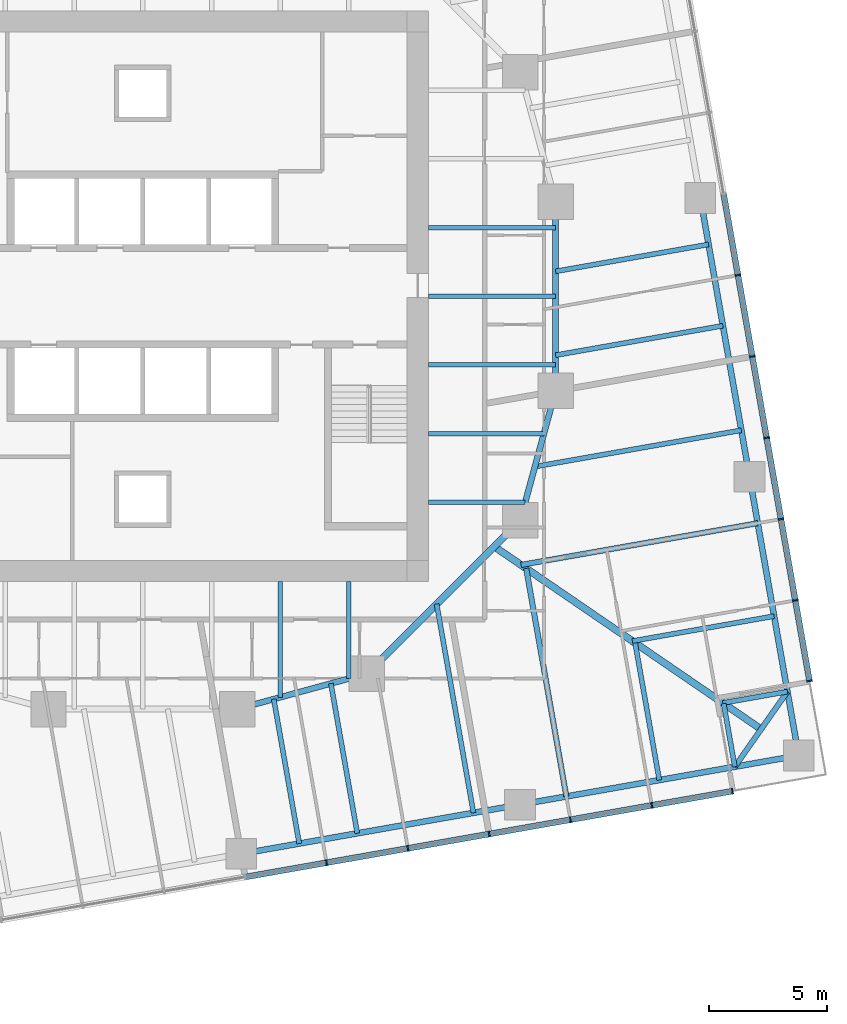
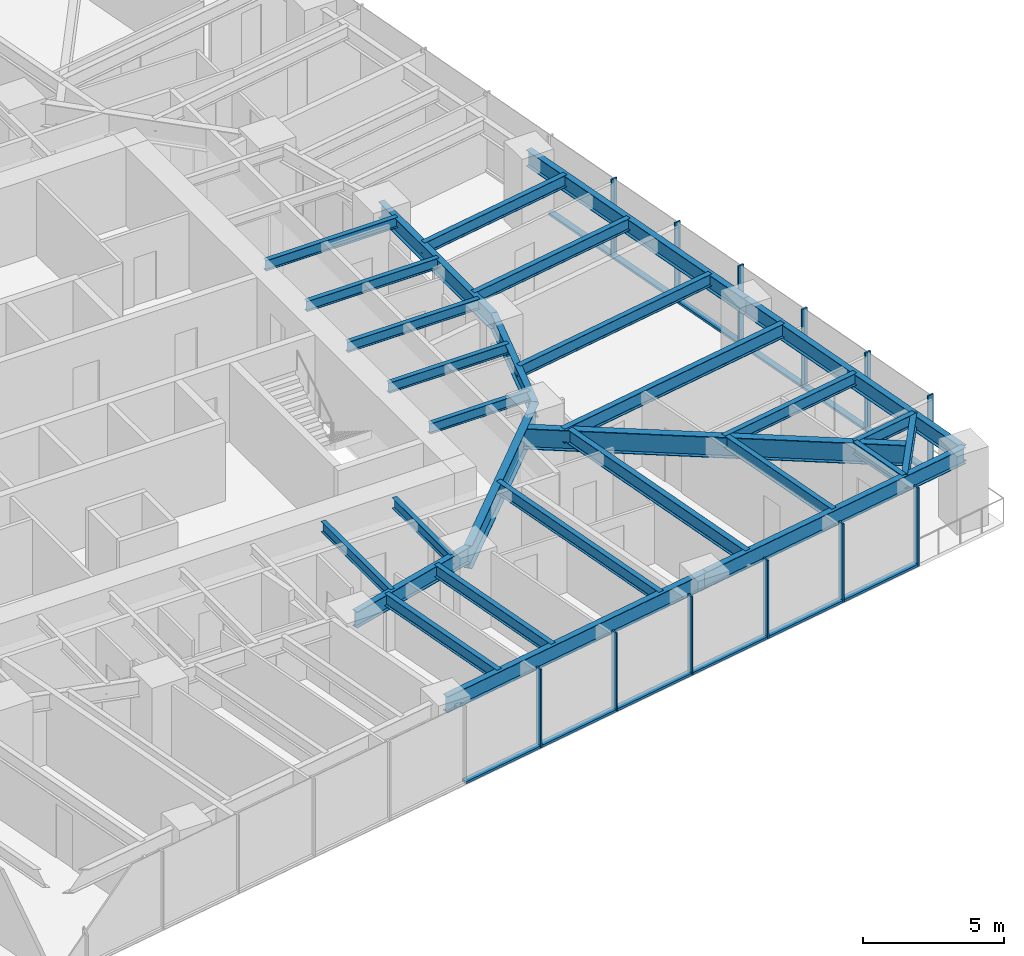
# One storey, part 4 of 14: 29 beams, 24 members, 2 elements without a shape of their own.
"""IFC4 building model written with IfcOpenShell, lengths in metres."""

from ifc_helpers import new_model, si_unit, direction, frame, origin, origin_2d, place, context, subcontext, project, spatial, rectangle, i_section, extrude, material, material_profile, profile_set, type_object, element, aggregate, save


model = new_model("IFC4")

# Units and contexts
model_context = context("Model", 3, precision=1e-05, world=origin(), true_north=direction((0.0, 1.0)))
body_context = subcontext(model_context, "Body", "Model", "MODEL_VIEW")
ifc_project = project(units=[si_unit("LENGTHUNIT", "METRE"), si_unit("AREAUNIT", "SQUARE_METRE"), si_unit("VOLUMEUNIT", "CUBIC_METRE"), si_unit("PLANEANGLEUNIT", "RADIAN"), si_unit("MASSUNIT", "GRAM", prefix="KILO")], contexts=[model_context])

# Site, building, storey
site_placement = place(None, origin())
site = spatial("IfcSite", under=ifc_project, at=site_placement, CompositionType="ELEMENT")
building_placement = place(site_placement, origin())
building = spatial("IfcBuilding", under=site, at=building_placement, Name="Torsade Residences", CompositionType="ELEMENT")
storey_placement = place(building_placement, frame((0.0, 0.0, 93.0)))
storey = spatial("IfcBuildingStorey", under=building, at=storey_placement, Name="L25", CompositionType="ELEMENT", Elevation=93.0)

# Beams
ifc_material_1 = material(Name="Steel grade 300", Category="steel")
ifc_material_profile_1 = material_profile(ifc_material_1, i_section(OverallWidth=0.300048828125, OverallDepth=0.89990234375, WebThickness=0.011962890625, FlangeThickness=0.02490234375, at=origin_2d()), Name="900WB175")
ifc_profile_set_1 = profile_set([ifc_material_profile_1], Name="Steel grade 300")
beam_type_1 = type_object("IfcBeamType", Name="CORNER GIRDER 900WB175", PredefinedType="BEAM", material=ifc_profile_set_1)
beam_1_placement = place(storey_placement, frame((66.2099609375, 11.6474609375, 2.800048828125), z_axis=(-0.825279313977, 0.564724759437, 0.0), x_axis=(-0.564724759437, -0.825279313977, 0.0)))
element("IfcBeam", 1, at=beam_1_placement, inside=storey, type_object=beam_type_1, Name="Corner girder 05 L26", PredefinedType="BEAM", context=body_context, shape_type="SweptSolid", body=[
    extrude(i_section(OverallWidth=0.300048828125, OverallDepth=0.89990234375, WebThickness=0.011962890625, FlangeThickness=0.02490234375, at=origin_2d()), origin(), (0.0, 0.0, 1.0), 13.7138671875),
])
ifc_material_2 = material(Name="Steel grade 300", Category="steel")
ifc_material_profile_2 = material_profile(ifc_material_2, i_section(OverallWidth=0.22802734375, OverallDepth=0.60205078125, WebThickness=0.010498046875, FlangeThickness=0.014892578125, FilletRadius=0.013916015625, at=origin_2d()), Name="610UB101")
ifc_profile_set_2 = profile_set([ifc_material_profile_2], Name="Steel grade 300")
beam_type_2 = type_object("IfcBeamType", Name="CORNER TRIMMER 610UB101", PredefinedType="BEAM", material=ifc_profile_set_2)
beam_2_placement = place(storey_placement, frame((67.325439453125, 13.240478515625, 2.948974609375), z_axis=(-0.573576092373, -0.819152285145, 0.0), x_axis=(0.819152285145, -0.573576092373, 0.0)))
element("IfcBeam", 2, at=beam_2_placement, inside=storey, type_object=beam_type_2, Name="Corner trimmer 05 L26", PredefinedType="BEAM", context=body_context, shape_type="SweptSolid", body=[
    extrude(i_section(OverallWidth=0.22802734375, OverallDepth=0.60205078125, WebThickness=0.010498046875, FlangeThickness=0.014892578125, FilletRadius=0.013916015625, at=origin_2d()), origin(), (0.0, 0.0, 1.0), 3.88916015625),
])

# Curtain wall, members
ifc_material_3 = material(Name="Aluminium and glass", Category="aluminium")
curtain_wall_type = type_object("IfcCurtainWallType", Name="FRITTED GLASS CURTAIN WALL LOW ZONE", PredefinedType="NOTDEFINED", material=ifc_material_3)
curtain_wall_1_placement = place(storey_placement, origin())
curtain_wall_1 = element("IfcCurtainWall", 3, at=curtain_wall_1_placement, inside=storey, type_object=curtain_wall_type, Name="Curtain wall L25 face 1", PredefinedType="NOTDEFINED")
ifc_material_4 = material(Name="Aluminium mullion", Category="aluminium")
ifc_material_profile_3 = material_profile(ifc_material_4, rectangle(XDim=0.25, YDim=0.06494140625, at=origin_2d()), Name="CURTAIN WALL MULLION 250x65")
ifc_profile_set_3 = profile_set([ifc_material_profile_3], Name="Aluminium mullion")
member_type_1 = type_object("IfcMemberType", Name="CURTAIN WALL MULLION 250x65", PredefinedType="MULLION", material=ifc_profile_set_3)
member_1_placement = place(storey_placement, frame((47.7880859375, 5.987548828125, 0.0), z_axis=(0.0, 0.0, 1.0), x_axis=(-0.173648192638, 0.984807750372, 0.0)))
member_1 = element("IfcMember", 4, at=member_1_placement, type_object=member_type_1, Name="Mullion 8", PredefinedType="MULLION", context=body_context, shape_type="SweptSolid", body=[
    extrude(rectangle(XDim=0.25, YDim=0.06494140625, at=origin_2d()), origin(), (0.0, 0.0, 1.0), 3.39990234375),
])
member_2_placement = place(storey_placement, frame((51.23486328125, 6.595458984375, 0.0), z_axis=(0.0, 0.0, 1.0), x_axis=(-0.173648192638, 0.984807750372, 0.0)))
member_2 = element("IfcMember", 5, at=member_2_placement, type_object=member_type_1, Name="Mullion 9", PredefinedType="MULLION", context=body_context, shape_type="SweptSolid", body=[
    extrude(rectangle(XDim=0.25, YDim=0.06494140625, at=origin_2d()), origin(), (0.0, 0.0, 1.0), 3.39990234375),
])
member_3_placement = place(storey_placement, frame((54.681640625, 7.203125, 0.0), z_axis=(0.0, 0.0, 1.0), x_axis=(-0.173648192638, 0.984807750372, 0.0)))
member_3 = element("IfcMember", 6, at=member_3_placement, type_object=member_type_1, Name="Mullion 10", PredefinedType="MULLION", context=body_context, shape_type="SweptSolid", body=[
    extrude(rectangle(XDim=0.25, YDim=0.06494140625, at=origin_2d()), origin(), (0.0, 0.0, 1.0), 3.39990234375),
])
member_4_placement = place(storey_placement, frame((58.12841796875, 7.810791015625, 0.0), z_axis=(0.0, 0.0, 1.0), x_axis=(-0.173648192638, 0.984807750372, 0.0)))
member_4 = element("IfcMember", 7, at=member_4_placement, type_object=member_type_1, Name="Mullion 11", PredefinedType="MULLION", context=body_context, shape_type="SweptSolid", body=[
    extrude(rectangle(XDim=0.25, YDim=0.06494140625, at=origin_2d()), origin(), (0.0, 0.0, 1.0), 3.39990234375),
])
member_5_placement = place(storey_placement, frame((61.575439453125, 8.418701171875, 0.0), z_axis=(0.0, 0.0, 1.0), x_axis=(-0.173648192638, 0.984807750372, 0.0)))
member_5 = element("IfcMember", 8, at=member_5_placement, type_object=member_type_1, Name="Mullion 12", PredefinedType="MULLION", context=body_context, shape_type="SweptSolid", body=[
    extrude(rectangle(XDim=0.25, YDim=0.06494140625, at=origin_2d()), origin(), (0.0, 0.0, 1.0), 3.39990234375),
])
member_6_placement = place(storey_placement, frame((64.990234375, 9.020751953125, 0.0), z_axis=(0.0, 0.0, 1.0), x_axis=(-0.173648192638, 0.984807750372, 0.0)))
member_6 = element("IfcMember", 9, at=member_6_placement, type_object=member_type_1, Name="Mullion 13", PredefinedType="MULLION", context=body_context, shape_type="SweptSolid", body=[
    extrude(rectangle(XDim=0.25, YDim=0.06494140625, at=origin_2d()), origin(), (0.0, 0.0, 1.0), 3.39990234375),
])

curtain_wall_2_placement = place(storey_placement, origin())
curtain_wall_2 = element("IfcCurtainWall", 10, at=curtain_wall_2_placement, inside=storey, type_object=curtain_wall_type, Name="Curtain wall L25 face 4", PredefinedType="NOTDEFINED")
member_7_placement = place(storey_placement, frame((68.26123046875, 13.692138671875, 0.0), z_axis=(0.0, 0.0, 1.0), x_axis=(-0.984807750372, -0.173648192638, 0.0)))
member_7 = element("IfcMember", 11, at=member_7_placement, type_object=member_type_1, Name="Mullion 1", PredefinedType="MULLION", context=body_context, shape_type="SweptSolid", body=[
    extrude(rectangle(XDim=0.25, YDim=0.06494140625, at=origin_2d()), origin(), (0.0, 0.0, 1.0), 3.39990234375),
])
member_8_placement = place(storey_placement, frame((67.658935546875, 17.107177734375, 0.0), z_axis=(0.0, 0.0, 1.0), x_axis=(-0.984807750372, -0.173648192638, 0.0)))
member_8 = element("IfcMember", 12, at=member_8_placement, type_object=member_type_1, Name="Mullion 2", PredefinedType="MULLION", context=body_context, shape_type="SweptSolid", body=[
    extrude(rectangle(XDim=0.25, YDim=0.06494140625, at=origin_2d()), origin(), (0.0, 0.0, 1.0), 3.39990234375),
])
member_9_placement = place(storey_placement, frame((67.05126953125, 20.553955078125, 0.0), z_axis=(0.0, 0.0, 1.0), x_axis=(-0.984807750372, -0.173648192638, 0.0)))
member_9 = element("IfcMember", 13, at=member_9_placement, type_object=member_type_1, Name="Mullion 3", PredefinedType="MULLION", context=body_context, shape_type="SweptSolid", body=[
    extrude(rectangle(XDim=0.25, YDim=0.06494140625, at=origin_2d()), origin(), (0.0, 0.0, 1.0), 3.39990234375),
])
member_10_placement = place(storey_placement, frame((66.443603515625, 24.000732421875, 0.0), z_axis=(0.0, 0.0, 1.0), x_axis=(-0.984807750372, -0.173648192638, 0.0)))
member_10 = element("IfcMember", 14, at=member_10_placement, type_object=member_type_1, Name="Mullion 4", PredefinedType="MULLION", context=body_context, shape_type="SweptSolid", body=[
    extrude(rectangle(XDim=0.25, YDim=0.06494140625, at=origin_2d()), origin(), (0.0, 0.0, 1.0), 3.39990234375),
])
member_11_placement = place(storey_placement, frame((65.835693359375, 27.447509765625, 0.0), z_axis=(0.0, 0.0, 1.0), x_axis=(-0.984807750372, -0.173648192638, 0.0)))
member_11 = element("IfcMember", 15, at=member_11_placement, type_object=member_type_1, Name="Mullion 5", PredefinedType="MULLION", context=body_context, shape_type="SweptSolid", body=[
    extrude(rectangle(XDim=0.25, YDim=0.06494140625, at=origin_2d()), origin(), (0.0, 0.0, 1.0), 3.39990234375),
])
member_12_placement = place(storey_placement, frame((65.22802734375, 30.894287109375, 0.0), z_axis=(0.0, 0.0, 1.0), x_axis=(-0.984807750372, -0.173648192638, 0.0)))
member_12 = element("IfcMember", 16, at=member_12_placement, type_object=member_type_1, Name="Mullion 6", PredefinedType="MULLION", context=body_context, shape_type="SweptSolid", body=[
    extrude(rectangle(XDim=0.25, YDim=0.06494140625, at=origin_2d()), origin(), (0.0, 0.0, 1.0), 3.39990234375),
])

# Member
ifc_material_5 = material(Name="Aluminium transom", Category="aluminium")
ifc_material_profile_4 = material_profile(ifc_material_5, rectangle(XDim=0.25, YDim=0.10009765625, at=origin_2d()), Name="CURTAIN WALL TRANSOM 250x100")
ifc_profile_set_4 = profile_set([ifc_material_profile_4], Name="Aluminium transom")
member_type_2 = type_object("IfcMemberType", Name="CURTAIN WALL TRANSOM 250x100", PredefinedType="USERDEFINED", material=ifc_profile_set_4)
member_13_placement = place(storey_placement, frame((44.373291015625, 5.385498046875, 0.050048828125), z_axis=(0.984810021497, 0.17363531196, 0.0), x_axis=(-0.17363531196, 0.984810021497, 0.0)))
member_13 = element("IfcMember", 17, at=member_13_placement, type_object=member_type_2, Name="Transom 7.1", ObjectType="TRANSOM", PredefinedType="USERDEFINED", context=body_context, shape_type="SweptSolid", body=[
    extrude(rectangle(XDim=0.25, YDim=0.10009765625, at=origin_2d()), origin(), (0.0, 0.0, 1.0), 3.43505859375),
])

member_14_placement = place(storey_placement, frame((47.820068359375, 5.9931640625, 0.050048828125), z_axis=(0.984810021497, 0.17363531196, 0.0), x_axis=(-0.17363531196, 0.984810021497, 0.0)))
member_14 = element("IfcMember", 18, at=member_14_placement, type_object=member_type_2, Name="Transom 8.1", ObjectType="TRANSOM", PredefinedType="USERDEFINED", context=body_context, shape_type="SweptSolid", body=[
    extrude(rectangle(XDim=0.25, YDim=0.10009765625, at=origin_2d()), origin(), (0.0, 0.0, 1.0), 3.43505859375),
])

member_15_placement = place(storey_placement, frame((51.266845703125, 6.60107421875, 0.050048828125), z_axis=(0.984810021497, 0.17363531196, 0.0), x_axis=(-0.17363531196, 0.984810021497, 0.0)))
member_15 = element("IfcMember", 19, at=member_15_placement, type_object=member_type_2, Name="Transom 9.1", ObjectType="TRANSOM", PredefinedType="USERDEFINED", context=body_context, shape_type="SweptSolid", body=[
    extrude(rectangle(XDim=0.25, YDim=0.10009765625, at=origin_2d()), origin(), (0.0, 0.0, 1.0), 3.43505859375),
])

member_16_placement = place(storey_placement, frame((54.713623046875, 7.208740234375, 0.050048828125), z_axis=(0.984810021497, 0.17363531196, 0.0), x_axis=(-0.17363531196, 0.984810021497, 0.0)))
member_16 = element("IfcMember", 20, at=member_16_placement, type_object=member_type_2, Name="Transom 10.1", ObjectType="TRANSOM", PredefinedType="USERDEFINED", context=body_context, shape_type="SweptSolid", body=[
    extrude(rectangle(XDim=0.25, YDim=0.10009765625, at=origin_2d()), origin(), (0.0, 0.0, 1.0), 3.43505859375),
])

member_17_placement = place(storey_placement, frame((58.160400390625, 7.81640625, 0.050048828125), z_axis=(0.98479786563, 0.173704242465, 0.0), x_axis=(-0.173704242465, 0.98479786563, 0.0)))
member_17 = element("IfcMember", 21, at=member_17_placement, type_object=member_type_2, Name="Transom 11.1", ObjectType="TRANSOM", PredefinedType="USERDEFINED", context=body_context, shape_type="SweptSolid", body=[
    extrude(rectangle(XDim=0.25, YDim=0.10009765625, at=origin_2d()), origin(), (0.0, 0.0, 1.0), 3.43505859375),
])

member_18_placement = place(storey_placement, frame((61.607421875, 8.42431640625, 0.050048828125), z_axis=(0.984808830466, 0.173642067011, 0.0), x_axis=(-0.173642067011, 0.984808830466, 0.0)))
member_18 = element("IfcMember", 22, at=member_18_placement, type_object=member_type_2, Name="Transom 12.1", ObjectType="TRANSOM", PredefinedType="USERDEFINED", context=body_context, shape_type="SweptSolid", body=[
    extrude(rectangle(XDim=0.25, YDim=0.10009765625, at=origin_2d()), origin(), (0.0, 0.0, 1.0), 3.402587890625),
])

aggregate(curtain_wall_1, [member_1, member_2, member_3, member_4, member_5, member_6, member_13, member_14, member_15, member_16, member_17, member_18])

member_19_placement = place(storey_placement, frame((68.255615234375, 13.724365234375, 0.050048828125), z_axis=(-0.173654337918, 0.984806666774, 0.0), x_axis=(-0.984806666774, -0.173654337918, 0.0)))
member_19 = element("IfcMember", 23, at=member_19_placement, type_object=member_type_2, Name="Transom 1.1", ObjectType="TRANSOM", PredefinedType="USERDEFINED", context=body_context, shape_type="SweptSolid", body=[
    extrude(rectangle(XDim=0.25, YDim=0.10009765625, at=origin_2d()), origin(), (0.0, 0.0, 1.0), 3.40234375),
])

member_20_placement = place(storey_placement, frame((67.6533203125, 17.13916015625, 0.050048828125), z_axis=(-0.17363531196, 0.984810021497, 0.0), x_axis=(-0.984810021497, -0.17363531196, 0.0)))
member_20 = element("IfcMember", 24, at=member_20_placement, type_object=member_type_2, Name="Transom 2.1", ObjectType="TRANSOM", PredefinedType="USERDEFINED", context=body_context, shape_type="SweptSolid", body=[
    extrude(rectangle(XDim=0.25, YDim=0.10009765625, at=origin_2d()), origin(), (0.0, 0.0, 1.0), 3.43505859375),
])

member_21_placement = place(storey_placement, frame((67.045654296875, 20.5859375, 0.050048828125), z_axis=(-0.17363531196, 0.984810021497, 0.0), x_axis=(-0.984810021497, -0.17363531196, 0.0)))
member_21 = element("IfcMember", 25, at=member_21_placement, type_object=member_type_2, Name="Transom 3.1", ObjectType="TRANSOM", PredefinedType="USERDEFINED", context=body_context, shape_type="SweptSolid", body=[
    extrude(rectangle(XDim=0.25, YDim=0.10009765625, at=origin_2d()), origin(), (0.0, 0.0, 1.0), 3.43505859375),
])

member_22_placement = place(storey_placement, frame((66.437744140625, 24.03271484375, 0.050048828125), z_axis=(-0.17363531196, 0.984810021497, 0.0), x_axis=(-0.984810021497, -0.17363531196, 0.0)))
member_22 = element("IfcMember", 26, at=member_22_placement, type_object=member_type_2, Name="Transom 4.1", ObjectType="TRANSOM", PredefinedType="USERDEFINED", context=body_context, shape_type="SweptSolid", body=[
    extrude(rectangle(XDim=0.25, YDim=0.10009765625, at=origin_2d()), origin(), (0.0, 0.0, 1.0), 3.43505859375),
])

member_23_placement = place(storey_placement, frame((65.830078125, 27.4794921875, 0.050048828125), z_axis=(-0.17363531196, 0.984810021497, 0.0), x_axis=(-0.984810021497, -0.17363531196, 0.0)))
member_23 = element("IfcMember", 27, at=member_23_placement, type_object=member_type_2, Name="Transom 5.1", ObjectType="TRANSOM", PredefinedType="USERDEFINED", context=body_context, shape_type="SweptSolid", body=[
    extrude(rectangle(XDim=0.25, YDim=0.10009765625, at=origin_2d()), origin(), (0.0, 0.0, 1.0), 3.43505859375),
])

member_24_placement = place(storey_placement, frame((65.222412109375, 30.92626953125, 0.050048828125), z_axis=(-0.173704242465, 0.98479786563, 0.0), x_axis=(-0.98479786563, -0.173704242465, 0.0)))
member_24 = element("IfcMember", 28, at=member_24_placement, type_object=member_type_2, Name="Transom 6.1", ObjectType="TRANSOM", PredefinedType="USERDEFINED", context=body_context, shape_type="SweptSolid", body=[
    extrude(rectangle(XDim=0.25, YDim=0.10009765625, at=origin_2d()), origin(), (0.0, 0.0, 1.0), 3.43505859375),
])

aggregate(curtain_wall_2, [member_7, member_8, member_9, member_10, member_11, member_12, member_19, member_20, member_21, member_22, member_23, member_24])

# Beams
ifc_material_6 = material(Name="Steel grade 300", Category="steel")
ifc_material_profile_5 = material_profile(ifc_material_6, i_section(OverallWidth=0.25, OverallDepth=0.699951171875, WebThickness=0.010009765625, FlangeThickness=0.02001953125, at=origin_2d()), Name="700WB130")
ifc_profile_set_5 = profile_set([ifc_material_profile_5], Name="Steel grade 300")
beam_type_3 = type_object("IfcBeamType", Name="EDGE BEAM 700WB130", PredefinedType="SPANDREL", material=ifc_profile_set_5)
beam_3_placement = place(storey_placement, frame((44.16748046875, 6.364501953125, 2.89990234375), z_axis=(0.984805261243, 0.173662308598, 0.0), x_axis=(-0.173662308598, 0.984805261243, 0.0)))
element("IfcBeam", 29, at=beam_3_placement, inside=storey, type_object=beam_type_3, Name="Edge beam 03 L26", PredefinedType="SPANDREL", context=body_context, shape_type="SweptSolid", body=[
    extrude(i_section(OverallWidth=0.25, OverallDepth=0.699951171875, WebThickness=0.010009765625, FlangeThickness=0.02001953125, at=origin_2d()), origin(), (0.0, 0.0, 1.0), 12.000244140625),
])
for number, where, z_axis, x_axis, name in (
    (30, (55.9853515625, 8.448486328125, 2.89990234375), (0.984808127031, 0.173646056486, 0.0), (-0.173646056486, 0.984808127031, 0.0), "Edge beam 04 L26"),
    (31, (67.802978515625, 10.5322265625, 2.89990234375), (-0.173646056486, 0.984808127031, 0.0), (-0.984808127031, -0.173646056486, 0.0), "Edge beam 05 L26"),
    (32, (65.71923828125, 22.349853515625, 2.89990234375), (-0.173646056486, 0.984808127031, 0.0), (-0.984808127031, -0.173646056486, 0.0), "Edge beam 06 L26"),
):
    element("IfcBeam", number, at=place(storey_placement, frame(where, z_axis=z_axis, x_axis=x_axis)), inside=storey, type_object=beam_type_3, Name=name, PredefinedType="SPANDREL", context=body_context, shape_type="SweptSolid", body=[
        extrude(i_section(OverallWidth=0.25, OverallDepth=0.699951171875, WebThickness=0.010009765625, FlangeThickness=0.02001953125, at=origin_2d()), origin(), (0.0, 0.0, 1.0), 12.0),
    ])
ifc_material_7 = material(Name="Steel grade 300", Category="steel")
ifc_material_profile_6 = material_profile(ifc_material_7, i_section(OverallWidth=0.18994140625, OverallDepth=0.4541015625, WebThickness=0.008544921875, FlangeThickness=0.0126953125, FilletRadius=0.011474609375, at=origin_2d()), Name="460UB67.1")
ifc_profile_set_6 = profile_set([ifc_material_profile_6], Name="Steel grade 300")
beam_type_4 = type_object("IfcBeamType", Name="INNER FLOOR BEAM 460UB67.1", PredefinedType="JOIST", material=ifc_profile_set_6)
beam_4_placement = place(storey_placement, frame((48.737548828125, 17.89990234375, 3.02294921875), z_axis=(0.0, -1.0, 0.0), x_axis=(1.0, 0.0, 0.0)))
element("IfcBeam", 33, at=beam_4_placement, inside=storey, type_object=beam_type_4, Name="Inner floor beam IS01 L26", PredefinedType="JOIST", context=body_context, shape_type="SweptSolid", body=[
    extrude(i_section(OverallWidth=0.18994140625, OverallDepth=0.4541015625, WebThickness=0.008544921875, FlangeThickness=0.0126953125, FilletRadius=0.011474609375, at=origin_2d()), origin(), (0.0, 0.0, 1.0), 4.10791015625),
])
beam_5_placement = place(storey_placement, frame((45.824951171875, 17.89990234375, 3.02294921875), z_axis=(0.0, -1.0, 0.0), x_axis=(1.0, 0.0, 0.0)))
element("IfcBeam", 34, at=beam_5_placement, inside=storey, type_object=beam_type_4, Name="Inner floor beam IS02 L26", PredefinedType="JOIST", context=body_context, shape_type="SweptSolid", body=[
    extrude(i_section(OverallWidth=0.18994140625, OverallDepth=0.4541015625, WebThickness=0.008544921875, FlangeThickness=0.0126953125, FilletRadius=0.011474609375, at=origin_2d()), origin(), (0.0, 0.0, 1.0), 4.902099609375),
])
beam_6_placement = place(storey_placement, frame((52.10009765625, 21.262451171875, 3.02294921875), z_axis=(1.0, 0.0, 0.0), x_axis=(0.0, 1.0, 0.0)))
element("IfcBeam", 35, at=beam_6_placement, inside=storey, type_object=beam_type_4, Name="Inner floor beam IE01 L26", PredefinedType="JOIST", context=body_context, shape_type="SweptSolid", body=[
    extrude(i_section(OverallWidth=0.18994140625, OverallDepth=0.4541015625, WebThickness=0.008544921875, FlangeThickness=0.0126953125, FilletRadius=0.011474609375, at=origin_2d()), origin(), (0.0, 0.0, 1.0), 4.10791015625),
])
beam_7_placement = place(storey_placement, frame((52.10009765625, 24.175048828125, 3.02294921875), z_axis=(1.0, 0.0, 0.0), x_axis=(0.0, 1.0, 0.0)))
element("IfcBeam", 36, at=beam_7_placement, inside=storey, type_object=beam_type_4, Name="Inner floor beam IE02 L26", PredefinedType="JOIST", context=body_context, shape_type="SweptSolid", body=[
    extrude(i_section(OverallWidth=0.18994140625, OverallDepth=0.4541015625, WebThickness=0.008544921875, FlangeThickness=0.0126953125, FilletRadius=0.011474609375, at=origin_2d()), origin(), (0.0, 0.0, 1.0), 4.902099609375),
])
for number, where, z_axis, x_axis, name in (
    (37, (52.10009765625, 27.08740234375, 3.02294921875), (1.0, 0.0, 0.0), (0.0, 1.0, 0.0), "Inner floor beam IE03 L26"),
    (38, (52.10009765625, 30.0, 3.02294921875), (1.0, 0.0, 0.0), (0.0, 1.0, 0.0), "Inner floor beam IE04 L26"),
    (39, (52.10009765625, 32.91259765625, 3.02294921875), (1.0, 0.0, 0.0), (0.0, 1.0, 0.0), "Inner floor beam IE05 L26"),
):
    element("IfcBeam", number, at=place(storey_placement, frame(where, z_axis=z_axis, x_axis=x_axis)), inside=storey, type_object=beam_type_4, Name=name, PredefinedType="JOIST", context=body_context, shape_type="SweptSolid", body=[
        extrude(i_section(OverallWidth=0.18994140625, OverallDepth=0.4541015625, WebThickness=0.008544921875, FlangeThickness=0.0126953125, FilletRadius=0.011474609375, at=origin_2d()), origin(), (0.0, 0.0, 1.0), 5.39990234375),
    ])
ifc_material_8 = material(Name="Steel grade 300", Category="steel")
ifc_material_profile_7 = material_profile(ifc_material_8, i_section(OverallWidth=0.300048828125, OverallDepth=1.0, WebThickness=0.01611328125, FlangeThickness=0.028076171875, at=origin_2d()), Name="1000WB215")
ifc_profile_set_7 = profile_set([ifc_material_profile_7], Name="Steel grade 300")
beam_type_5 = type_object("IfcBeamType", Name="RING CORNER GIRDER 1000WB215", PredefinedType="BEAM", material=ifc_profile_set_7)
beam_8_placement = place(storey_placement, frame((49.5, 14.0, 2.75), z_axis=(0.707106781187, 0.707106781187, 0.0), x_axis=(-0.707106781187, 0.707106781187, 0.0)))
element("IfcBeam", 40, at=beam_8_placement, inside=storey, type_object=beam_type_5, Name="Ring girder IR15 L26", PredefinedType="BEAM", context=body_context, shape_type="SweptSolid", body=[
    extrude(i_section(OverallWidth=0.300048828125, OverallDepth=1.0, WebThickness=0.01611328125, FlangeThickness=0.028076171875, at=origin_2d()), origin(), (0.0, 0.0, 1.0), 9.1923828125),
])
ifc_material_9 = material(Name="Steel grade 300", Category="steel")
ifc_material_profile_8 = material_profile(ifc_material_9, i_section(OverallWidth=0.25, OverallDepth=0.699951171875, WebThickness=0.010009765625, FlangeThickness=0.02001953125, at=origin_2d()), Name="700WB130")
ifc_profile_set_8 = profile_set([ifc_material_profile_8], Name="Steel grade 300")
beam_type_6 = type_object("IfcBeamType", Name="RING GIRDER 700WB130", PredefinedType="BEAM", material=ifc_profile_set_8)
beam_9_placement = place(storey_placement, frame((57.5, 26.0, 2.89990234375), z_axis=(0.0, 1.0, 0.0), x_axis=(-1.0, 0.0, 0.0)))
element("IfcBeam", 41, at=beam_9_placement, inside=storey, type_object=beam_type_6, Name="Ring girder IR01 L26", PredefinedType="BEAM", context=body_context, shape_type="SweptSolid", body=[
    extrude(i_section(OverallWidth=0.25, OverallDepth=0.699951171875, WebThickness=0.010009765625, FlangeThickness=0.02001953125, at=origin_2d()), origin(), (0.0, 0.0, 1.0), 8.0),
])
for number, where, z_axis, x_axis, name in (
    (42, (44.0, 12.5, 2.89990234375), (0.964763821238, 0.263117405792, 0.0), (-0.263117405792, 0.964763821238, 0.0), "Ring girder IR14 L26"),
    (43, (56.0, 20.5, 2.89990234375), (0.263117405792, 0.964763821238, 0.0), (-0.964763821238, 0.263117405792, 0.0), "Ring girder IR16 L26"),
):
    element("IfcBeam", number, at=place(storey_placement, frame(where, z_axis=z_axis, x_axis=x_axis)), inside=storey, type_object=beam_type_6, Name=name, PredefinedType="BEAM", context=body_context, shape_type="SweptSolid", body=[
        extrude(i_section(OverallWidth=0.25, OverallDepth=0.699951171875, WebThickness=0.010009765625, FlangeThickness=0.02001953125, at=origin_2d()), origin(), (0.0, 0.0, 1.0), 5.700927734375),
    ])
ifc_material_10 = material(Name="Steel grade 300", Category="steel")
ifc_material_profile_9 = material_profile(ifc_material_10, i_section(OverallWidth=0.208984375, OverallDepth=0.528076171875, WebThickness=0.009521484375, FlangeThickness=0.01318359375, FilletRadius=0.013916015625, at=origin_2d()), Name="530UB82.0")
ifc_profile_set_9 = profile_set([ifc_material_profile_9], Name="Steel grade 300")
beam_type_7 = type_object("IfcBeamType", Name="SECONDARY BEAM 530UB82.0", PredefinedType="JOIST", material=ifc_profile_set_9)
beam_10_placement = place(storey_placement, frame((46.629638671875, 6.798828125, 2.986083984375), z_axis=(-0.173655425542, 0.984806474989, 0.0), x_axis=(-0.984806474989, -0.173655425542, 0.0)))
element("IfcBeam", 44, at=beam_10_placement, inside=storey, type_object=beam_type_7, Name="Floor beam FS07 L26", PredefinedType="JOIST", context=body_context, shape_type="SweptSolid", body=[
    extrude(i_section(OverallWidth=0.208984375, OverallDepth=0.528076171875, WebThickness=0.009521484375, FlangeThickness=0.01318359375, FilletRadius=0.013916015625, at=origin_2d()), origin(), (0.0, 0.0, 1.0), 6.21826171875),
])
beam_11_placement = place(storey_placement, frame((49.091552734375, 7.23291015625, 2.986083984375), z_axis=(-0.17363198078, 0.984810608823, 0.0), x_axis=(-0.984810608823, -0.17363198078, 0.0)))
element("IfcBeam", 45, at=beam_11_placement, inside=storey, type_object=beam_type_7, Name="Floor beam FS08 L26", PredefinedType="JOIST", context=body_context, shape_type="SweptSolid", body=[
    extrude(i_section(OverallWidth=0.208984375, OverallDepth=0.528076171875, WebThickness=0.009521484375, FlangeThickness=0.01318359375, FilletRadius=0.013916015625, at=origin_2d()), origin(), (0.0, 0.0, 1.0), 6.4482421875),
])
beam_12_placement = place(storey_placement, frame((54.015625, 8.10107421875, 2.986083984375), z_axis=(-0.173639706679, 0.984809246638, 0.0), x_axis=(-0.984809246638, -0.173639706679, 0.0)))
element("IfcBeam", 46, at=beam_12_placement, inside=storey, type_object=beam_type_7, Name="Floor beam FS09 L26", PredefinedType="JOIST", context=body_context, shape_type="SweptSolid", body=[
    extrude(i_section(OverallWidth=0.208984375, OverallDepth=0.528076171875, WebThickness=0.009521484375, FlangeThickness=0.01318359375, FilletRadius=0.013916015625, at=origin_2d()), origin(), (0.0, 0.0, 1.0), 8.989990234375),
])
beam_13_placement = place(storey_placement, frame((61.89404296875, 9.490234375, 2.986083984375), z_axis=(-0.173629569808, 0.984811033899, 0.0), x_axis=(-0.984811033899, -0.173629569808, 0.0)))
element("IfcBeam", 47, at=beam_13_placement, inside=storey, type_object=beam_type_7, Name="Floor beam FS11 L26", PredefinedType="JOIST", context=body_context, shape_type="SweptSolid", body=[
    extrude(i_section(OverallWidth=0.208984375, OverallDepth=0.528076171875, WebThickness=0.009521484375, FlangeThickness=0.01318359375, FilletRadius=0.013916015625, at=origin_2d()), origin(), (0.0, 0.0, 1.0), 5.9013671875),
])
beam_14_placement = place(storey_placement, frame((65.0947265625, 10.0546875, 2.986083984375), z_axis=(-0.17364710834, 0.984807941563, 0.0), x_axis=(-0.984807941563, -0.17364710834, 0.0)))
element("IfcBeam", 48, at=beam_14_placement, inside=storey, type_object=beam_type_7, Name="Floor beam FS12 L26", PredefinedType="JOIST", context=body_context, shape_type="SweptSolid", body=[
    extrude(i_section(OverallWidth=0.208984375, OverallDepth=0.528076171875, WebThickness=0.009521484375, FlangeThickness=0.01318359375, FilletRadius=0.013916015625, at=origin_2d()), origin(), (0.0, 0.0, 1.0), 2.720458984375),
])
beam_15_placement = place(storey_placement, frame((67.325439453125, 13.240478515625, 2.986083984375), z_axis=(-0.984797700832, -0.173705176765, 0.0), x_axis=(0.173705176765, -0.984797700832, 0.0)))
element("IfcBeam", 49, at=beam_15_placement, inside=storey, type_object=beam_type_7, Name="Floor beam FE01 L26", PredefinedType="JOIST", context=body_context, shape_type="SweptSolid", body=[
    extrude(i_section(OverallWidth=0.208984375, OverallDepth=0.528076171875, WebThickness=0.009521484375, FlangeThickness=0.01318359375, FilletRadius=0.013916015625, at=origin_2d()), origin(), (0.0, 0.0, 1.0), 2.780029296875),
])
beam_16_placement = place(storey_placement, frame((66.760986328125, 16.44091796875, 2.986083984375), z_axis=(-0.984809331556, -0.173639225065, 0.0), x_axis=(0.173639225065, -0.984809331556, 0.0)))
element("IfcBeam", 50, at=beam_16_placement, inside=storey, type_object=beam_type_7, Name="Floor beam FE02 L26", PredefinedType="JOIST", context=body_context, shape_type="SweptSolid", body=[
    extrude(i_section(OverallWidth=0.208984375, OverallDepth=0.528076171875, WebThickness=0.009521484375, FlangeThickness=0.01318359375, FilletRadius=0.013916015625, at=origin_2d()), origin(), (0.0, 0.0, 1.0), 6.100830078125),
])
beam_17_placement = place(storey_placement, frame((65.371826171875, 24.319580078125, 2.986083984375), z_axis=(-0.984804296147, -0.173667781384, 0.0), x_axis=(0.173667781384, -0.984804296147, 0.0)))
element("IfcBeam", 51, at=beam_17_placement, inside=storey, type_object=beam_type_7, Name="Floor beam FE04 L26", PredefinedType="JOIST", context=body_context, shape_type="SweptSolid", body=[
    extrude(i_section(OverallWidth=0.208984375, OverallDepth=0.528076171875, WebThickness=0.009521484375, FlangeThickness=0.01318359375, FilletRadius=0.013916015625, at=origin_2d()), origin(), (0.0, 0.0, 1.0), 8.885986328125),
])
beam_18_placement = place(storey_placement, frame((64.59033203125, 28.751220703125, 2.986083984375), z_axis=(-0.984807104535, -0.173651855324, 0.0), x_axis=(0.173651855324, -0.984807104535, 0.0)))
element("IfcBeam", 52, at=beam_18_placement, inside=storey, type_object=beam_type_7, Name="Floor beam FE05 L26", PredefinedType="JOIST", context=body_context, shape_type="SweptSolid", body=[
    extrude(i_section(OverallWidth=0.208984375, OverallDepth=0.528076171875, WebThickness=0.009521484375, FlangeThickness=0.01318359375, FilletRadius=0.013916015625, at=origin_2d()), origin(), (0.0, 0.0, 1.0), 7.19970703125),
])
beam_19_placement = place(storey_placement, frame((63.982666015625, 32.197998046875, 2.986083984375), z_axis=(-0.984807818459, -0.173647806501, 0.0), x_axis=(0.173647806501, -0.984807818459, 0.0)))
element("IfcBeam", 53, at=beam_19_placement, inside=storey, type_object=beam_type_7, Name="Floor beam FE06 L26", PredefinedType="JOIST", context=body_context, shape_type="SweptSolid", body=[
    extrude(i_section(OverallWidth=0.208984375, OverallDepth=0.528076171875, WebThickness=0.009521484375, FlangeThickness=0.01318359375, FilletRadius=0.013916015625, at=origin_2d()), origin(), (0.0, 0.0, 1.0), 6.582763671875),
])
ifc_material_11 = material(Name="Steel grade 300", Category="steel")
ifc_material_profile_10 = material_profile(ifc_material_11, i_section(OverallWidth=0.22900390625, OverallDepth=0.612060546875, WebThickness=0.011962890625, FlangeThickness=0.01953125, FilletRadius=0.013916015625, at=origin_2d()), Name="610UB125")
ifc_profile_set_10 = profile_set([ifc_material_profile_10], Name="Steel grade 300")
beam_type_8 = type_object("IfcBeamType", Name="SECONDARY BEAM 610UB125", PredefinedType="JOIST", material=ifc_profile_set_10)
beam_20_placement = place(storey_placement, frame((57.954833984375, 8.795654296875, 2.944091796875), z_axis=(-0.173651961637, 0.984807085789, 0.0), x_axis=(-0.984807085789, -0.173651961637, 0.0)))
element("IfcBeam", 54, at=beam_20_placement, inside=storey, type_object=beam_type_8, Name="Floor beam FS10 L26", PredefinedType="JOIST", context=body_context, shape_type="SweptSolid", body=[
    extrude(i_section(OverallWidth=0.22900390625, OverallDepth=0.612060546875, WebThickness=0.011962890625, FlangeThickness=0.01953125, FilletRadius=0.013916015625, at=origin_2d()), origin(), (0.0, 0.0, 1.0), 9.816162109375),
])
beam_21_placement = place(storey_placement, frame((66.06640625, 20.380126953125, 2.944091796875), z_axis=(-0.984808397525, -0.173644522411, 0.0), x_axis=(0.173644522411, -0.984808397525, 0.0)))
element("IfcBeam", 55, at=beam_21_placement, inside=storey, type_object=beam_type_8, Name="Floor beam FE03 L26", PredefinedType="JOIST", context=body_context, shape_type="SweptSolid", body=[
    extrude(i_section(OverallWidth=0.22900390625, OverallDepth=0.612060546875, WebThickness=0.011962890625, FlangeThickness=0.01953125, FilletRadius=0.013916015625, at=origin_2d()), origin(), (0.0, 0.0, 1.0), 10.187744140625),
])

save(model, "model.ifc")
